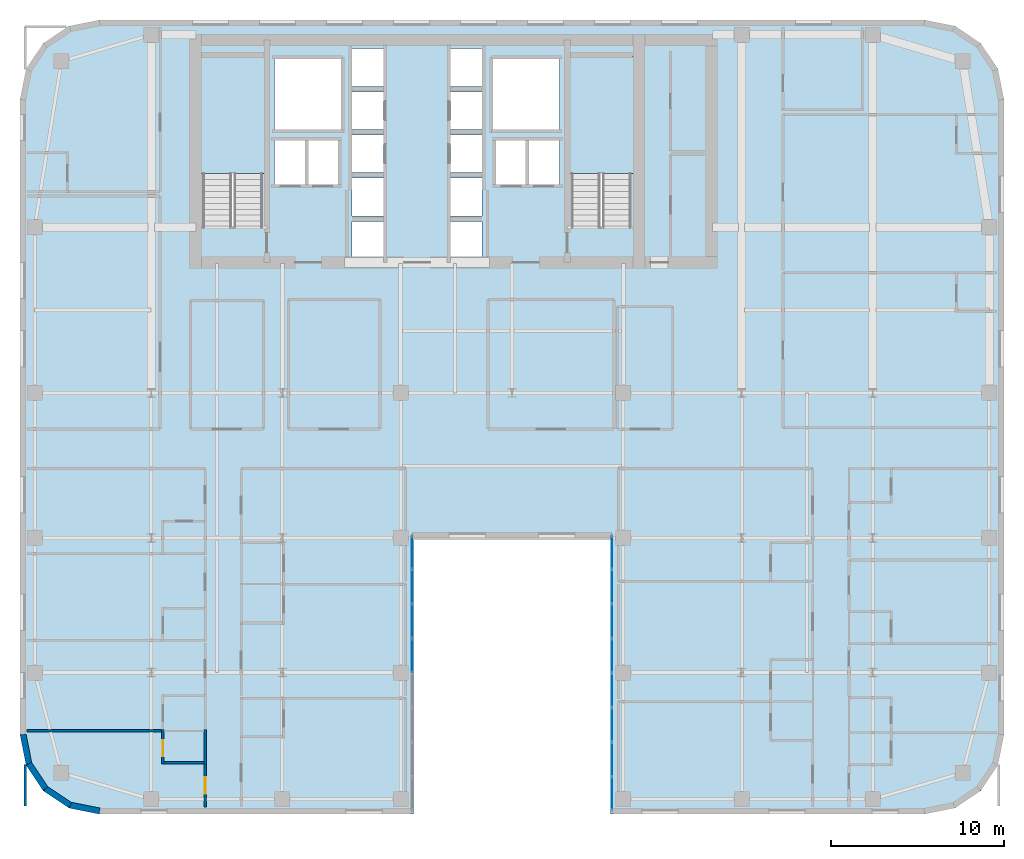
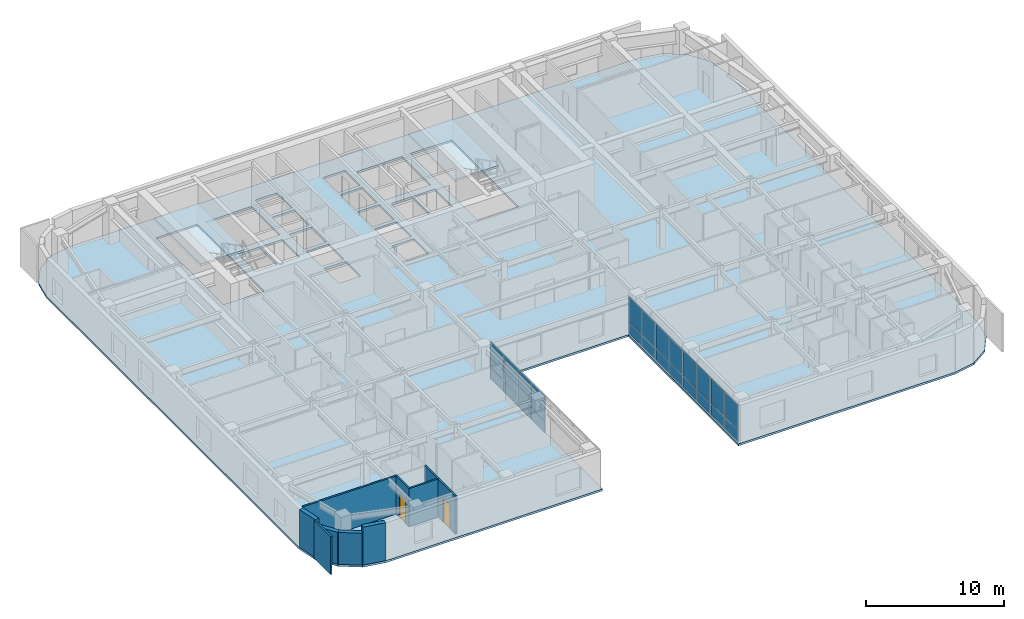
# One storey, part 9 of 17: 24 plates, 10 walls, 3 slabs, 2 doors, 2 openings, 4 elements without a shape of their own.
"""IFC4 building model written with IfcOpenShell, lengths in metres."""

from ifc_helpers import new_model, si_unit, direction, frame, frame_2d, origin, origin_2d, place, context, subcontext, project, spatial, polyline, rectangle, outline, extrude, source, transform, mapped, material, layer, layer_set, type_object, type_shapes, element, fill, aggregate, save


model = new_model("IFC4")

# Units and contexts
model_context = context("Model", 3, precision=1e-05, world=origin(), true_north=direction((0.0, 1.0)))
body_context = subcontext(model_context, "Body", "Model", "MODEL_VIEW")
ifc_project = project(units=[si_unit("LENGTHUNIT", "METRE"), si_unit("AREAUNIT", "SQUARE_METRE"), si_unit("VOLUMEUNIT", "CUBIC_METRE"), si_unit("PLANEANGLEUNIT", "RADIAN"), si_unit("MASSUNIT", "GRAM", prefix="KILO")], contexts=[model_context])

# Site, building, storey
site_placement = place(None, origin())
site = spatial("IfcSite", under=ifc_project, at=site_placement, CompositionType="ELEMENT")
building_placement = place(site_placement, origin())
building = spatial("IfcBuilding", under=site, at=building_placement, Name="Tolvann Quenvar Hotel", CompositionType="ELEMENT")
storey_placement = place(building_placement, frame((0.0, 0.0, 129.300048828125)))
storey = spatial("IfcBuildingStorey", under=building, at=storey_placement, Name="L33", CompositionType="ELEMENT", Elevation=129.300048828125)

# Stair, slab
ifc_material_1 = material(Name="Concrete N40 (40 MPa)", Category="concrete")
stair_type = type_object("IfcStairType", Name="STAIR", PredefinedType="HALF_TURN_STAIR", material=ifc_material_1)
stair_1_placement = place(storey_placement, origin())
stair_1 = element("IfcStair", 1, at=stair_1_placement, inside=storey, type_object=stair_type, Name="L33 ST-C1", PredefinedType="HALF_TURN_STAIR")
ifc_layer_1 = layer(ifc_material_1, 0.199951171875)
ifc_layer_set_1 = layer_set([ifc_layer_1], Name="Concrete N40 (40 MPa)")
slab_type_1 = type_object("IfcSlabType", Name="SLAB_LANDING", PredefinedType="LANDING", material=ifc_layer_set_1)
slab_1_placement = place(storey_placement, frame((0.0, 0.0, 1.574951171875)))
slab_1 = element("IfcSlab", 2, at=slab_1_placement, type_object=slab_type_1, Name="ST-C1 landing 1", PredefinedType="LANDING", context=body_context, shape_type="SweptSolid", body=[
    extrude(outline(polyline([(14.179931640625, 37.10498046875), (14.179931640625, 43.8798828125), (10.469970703125, 43.8798828125), (10.469970703125, 37.10498046875), (14.179931640625, 37.10498046875)])), origin(), (0.0, 0.0, 1.0), 0.199951171875),
])
aggregate(stair_1, [slab_1])

stair_2_placement = place(storey_placement, origin())
stair_2 = element("IfcStair", 3, at=stair_2_placement, inside=storey, type_object=stair_type, Name="L33 ST-C2", PredefinedType="HALF_TURN_STAIR")
slab_2_placement = place(storey_placement, frame((0.0, 0.0, 1.574951171875)))
slab_2 = element("IfcSlab", 4, at=slab_2_placement, type_object=slab_type_1, Name="ST-C2 landing 1", PredefinedType="LANDING", context=body_context, shape_type="SweptSolid", body=[
    extrude(outline(polyline([(35.530029296875, 37.10498046875), (35.530029296875, 43.8798828125), (31.820068359375, 43.8798828125), (31.820068359375, 37.10498046875), (35.530029296875, 37.10498046875)])), origin(), (0.0, 0.0, 1.0), 0.199951171875),
])
aggregate(stair_2, [slab_2])

# Slab
ifc_layer_2 = layer(ifc_material_1, 0.179931640625)
ifc_layer_set_2 = layer_set([ifc_layer_2], Name="Concrete N40 (40 MPa)")
slab_type_2 = type_object("IfcSlabType", Name="SLAB_TWR_180", PredefinedType="FLOOR", material=ifc_layer_set_2)
slab_3_placement = place(storey_placement, frame((0.0, 0.0, -0.179931640625)))
element("IfcSlab", 5, at=slab_3_placement, inside=storey, type_object=slab_type_2, Name="Level L33 Structural Floor Slab", PredefinedType="FLOOR", context=body_context, shape_type="SweptSolid", body=[
    extrude(outline(polyline([(0.0, 4.60009765625), (0.35009765625, 2.839599609375), (1.347412109375, 1.347412109375), (2.839599609375, 0.35009765625), (4.60009765625, 0.0), (22.800048828125, 0.0), (22.800048828125, 16.0), (34.199951171875, 16.0), (34.199951171875, 0.0), (52.39990234375, 0.0), (54.160400390625, 0.35009765625), (55.652587890625, 1.347412109375), (56.64990234375, 2.839599609375), (57.0, 4.60009765625), (57.0, 41.39990234375), (56.64990234375, 43.160400390625), (55.652587890625, 44.652587890625), (54.160400390625, 45.64990234375), (52.39990234375, 46.0), (4.60009765625, 46.0), (2.839599609375, 45.64990234375), (1.347412109375, 44.652587890625), (0.35009765625, 43.160400390625), (0.0, 41.39990234375), (0.0, 4.60009765625)]), holes=[polyline([(31.949951171875, 34.02490234375), (31.949951171875, 43.800048828125), (35.39990234375, 43.800048828125), (35.39990234375, 34.02490234375), (31.949951171875, 34.02490234375)]), polyline([(29.449951171875, 39.02001953125), (31.25, 39.02001953125), (31.25, 36.47998046875), (29.449951171875, 36.47998046875), (29.449951171875, 39.02001953125)]), polyline([(31.25, 43.75), (31.25, 39.64990234375), (27.39990234375, 39.64990234375), (27.39990234375, 43.75), (31.25, 43.75)]), polyline([(27.574951171875, 39.02001953125), (29.324951171875, 39.02001953125), (29.324951171875, 36.47998046875), (27.574951171875, 36.47998046875), (27.574951171875, 39.02001953125)]), polyline([(26.77001953125, 44.340087890625), (26.77001953125, 42.159912109375), (24.929931640625, 42.159912109375), (24.929931640625, 44.340087890625), (26.77001953125, 44.340087890625)]), polyline([(24.929931640625, 41.840087890625), (26.77001953125, 41.840087890625), (26.77001953125, 39.659912109375), (24.929931640625, 39.659912109375), (24.929931640625, 41.840087890625)]), polyline([(24.929931640625, 39.340087890625), (26.77001953125, 39.340087890625), (26.77001953125, 37.159912109375), (24.929931640625, 37.159912109375), (24.929931640625, 39.340087890625)]), polyline([(24.929931640625, 36.840087890625), (26.77001953125, 36.840087890625), (26.77001953125, 34.659912109375), (24.929931640625, 34.659912109375), (24.929931640625, 36.840087890625)]), polyline([(24.929931640625, 34.340087890625), (26.77001953125, 34.340087890625), (26.77001953125, 32.159912109375), (24.929931640625, 32.159912109375), (24.929931640625, 34.340087890625)]), polyline([(21.070068359375, 44.340087890625), (21.070068359375, 42.159912109375), (19.22998046875, 42.159912109375), (19.22998046875, 44.340087890625), (21.070068359375, 44.340087890625)]), polyline([(19.22998046875, 41.840087890625), (21.070068359375, 41.840087890625), (21.070068359375, 39.659912109375), (19.22998046875, 39.659912109375), (19.22998046875, 41.840087890625)]), polyline([(19.22998046875, 39.340087890625), (21.070068359375, 39.340087890625), (21.070068359375, 37.159912109375), (19.22998046875, 37.159912109375), (19.22998046875, 39.340087890625)]), polyline([(19.22998046875, 36.840087890625), (21.070068359375, 36.840087890625), (21.070068359375, 34.659912109375), (19.22998046875, 34.659912109375), (19.22998046875, 36.840087890625)]), polyline([(19.22998046875, 34.340087890625), (21.070068359375, 34.340087890625), (21.070068359375, 32.159912109375), (19.22998046875, 32.159912109375), (19.22998046875, 34.340087890625)]), polyline([(18.60009765625, 43.75), (18.60009765625, 39.64990234375), (14.75, 39.64990234375), (14.75, 43.75), (18.60009765625, 43.75)]), polyline([(16.675048828125, 39.02001953125), (18.425048828125, 39.02001953125), (18.425048828125, 36.47998046875), (16.675048828125, 36.47998046875), (16.675048828125, 39.02001953125)]), polyline([(14.75, 39.02001953125), (16.550048828125, 39.02001953125), (16.550048828125, 36.47998046875), (14.75, 36.47998046875), (14.75, 39.02001953125)]), polyline([(10.60009765625, 34.02490234375), (10.60009765625, 43.800048828125), (14.050048828125, 43.800048828125), (14.050048828125, 34.02490234375), (10.60009765625, 34.02490234375)])]), origin(), (0.0, 0.0, 1.0), 0.179931640625),
])

# Curtain wall, plate
ifc_material_2 = material(Name="Thermally broken anodised architectural aluminium 6063-T6 and laminated low-E glass", Category="aluminium")
ifc_layer_3 = layer(ifc_material_2, 0.179931640625)
ifc_layer_set_3 = layer_set([ifc_layer_3], Name="Thermally broken anodised architectural aluminium 6063-T6 and laminated low-E glass")
curtain_wall_type = type_object("IfcCurtainWallType", Name="CW_SYS_SLOT_03", PredefinedType="USERDEFINED", material=ifc_layer_set_3)
curtain_wall_1_placement = place(storey_placement, origin())
curtain_wall_1 = element("IfcCurtainWall", 6, at=curtain_wall_1_placement, inside=storey, type_object=curtain_wall_type, Name="Curtain Wall CW-SLOT-03 (CWR-L33-E05)", ObjectType="UNITISED CURTAIN WALL", PredefinedType="USERDEFINED")
ifc_material_3 = material(Name="Low-iron laminated double glazing with solar-control coating", Category="glass")
ifc_layer_4 = layer(ifc_material_3, 0.028076171875)
ifc_layer_set_4 = layer_set([ifc_layer_4], Name="Low-iron laminated double glazing with solar-control coating")
plate_type = type_object("IfcPlateType", Name="CW_PAN_VISION_28", PredefinedType="CURTAIN_PANEL", material=ifc_layer_set_4)
shared_shape_1 = source(origin(), body_context, "Body", "SweptSolid", [
    extrude(rectangle(XDim=1.89501953125, YDim=0.028076171875, at=origin_2d()), origin(), (0.0, 0.0, 1.0), 0.9599609375),
])
plate_1_placement = place(storey_placement, frame((22.7099609375, 15.157470703125, 0.06005859375), z_axis=(0.0, 0.0, 1.0), x_axis=(0.0, 1.0, 0.0)))
plate_1 = element("IfcPlate", 7, at=plate_1_placement, type_object=plate_type, Name="CW-SLOT-03 panel 8.1", PredefinedType="CURTAIN_PANEL", context=body_context, shape_type="MappedRepresentation", body=[
    mapped(shared_shape_1, transform((0.0, 0.0, 0.0), x_axis=(1.0, 0.0, 0.0), y_axis=(0.0, 1.0, 0.0), z_axis=(0.0, 0.0, 1.0), scale=1.0)),
])

# Curtain wall, plates
curtain_wall_2_placement = place(storey_placement, origin())
curtain_wall_2 = element("IfcCurtainWall", 8, at=curtain_wall_2_placement, inside=storey, type_object=curtain_wall_type, Name="Curtain Wall CW-SLOT-03 (CWR-L33-E07)", ObjectType="UNITISED CURTAIN WALL", PredefinedType="USERDEFINED")
plate_2_placement = place(storey_placement, frame((34.2900390625, 15.157470703125, 0.06005859375), z_axis=(0.0, 0.0, 1.0), x_axis=(0.0, -1.0, 0.0)))
plate_2 = element("IfcPlate", 9, at=plate_2_placement, type_object=plate_type, Name="CW-SLOT-03 panel 1.1", PredefinedType="CURTAIN_PANEL", context=body_context, shape_type="MappedRepresentation", body=[
    mapped(shared_shape_1, transform((0.0, 0.0, 0.0), x_axis=(1.0, 0.0, 0.0), y_axis=(0.0, 1.0, 0.0), z_axis=(0.0, 0.0, 1.0), scale=1.0)),
])
plate_3_placement = place(storey_placement, frame((34.2900390625, 1.1923828125, 0.06005859375), z_axis=(0.0, 0.0, 1.0), x_axis=(0.0, -1.0, 0.0)))
plate_3 = element("IfcPlate", 10, at=plate_3_placement, type_object=plate_type, Name="CW-SLOT-03 panel 8.1", PredefinedType="CURTAIN_PANEL", context=body_context, shape_type="MappedRepresentation", body=[
    mapped(shared_shape_1, transform((0.0, 0.0, 0.0), x_axis=(1.0, 0.0, 0.0), y_axis=(0.0, 1.0, 0.0), z_axis=(0.0, 0.0, 1.0), scale=1.0)),
])

# Plate
shared_shape_2 = source(origin(), body_context, "Body", "SweptSolid", [
    extrude(rectangle(XDim=1.89501953125, YDim=0.028076171875, at=origin_2d()), origin(), (0.0, 0.0, 1.0), 2.22998046875),
])
plate_4_placement = place(storey_placement, frame((22.7099609375, 15.157470703125, 1.080078125), z_axis=(0.0, 0.0, 1.0), x_axis=(0.0, 1.0, 0.0)))
plate_4 = element("IfcPlate", 11, at=plate_4_placement, type_object=plate_type, Name="CW-SLOT-03 panel 8.2", PredefinedType="CURTAIN_PANEL", context=body_context, shape_type="MappedRepresentation", body=[
    mapped(shared_shape_2, transform((0.0, 0.0, 0.0), x_axis=(1.0, 0.0, 0.0), y_axis=(0.0, 1.0, 0.0), z_axis=(0.0, 0.0, 1.0), scale=1.0)),
])

plate_5_placement = place(storey_placement, frame((34.2900390625, 15.157470703125, 1.080078125), z_axis=(0.0, 0.0, 1.0), x_axis=(0.0, -1.0, 0.0)))
plate_5 = element("IfcPlate", 12, at=plate_5_placement, type_object=plate_type, Name="CW-SLOT-03 panel 1.2", PredefinedType="CURTAIN_PANEL", context=body_context, shape_type="MappedRepresentation", body=[
    mapped(shared_shape_2, transform((0.0, 0.0, 0.0), x_axis=(1.0, 0.0, 0.0), y_axis=(0.0, 1.0, 0.0), z_axis=(0.0, 0.0, 1.0), scale=1.0)),
])

plate_6_placement = place(storey_placement, frame((34.2900390625, 1.1923828125, 1.080078125), z_axis=(0.0, 0.0, 1.0), x_axis=(0.0, -1.0, 0.0)))
plate_6 = element("IfcPlate", 13, at=plate_6_placement, type_object=plate_type, Name="CW-SLOT-03 panel 8.2", PredefinedType="CURTAIN_PANEL", context=body_context, shape_type="MappedRepresentation", body=[
    mapped(shared_shape_2, transform((0.0, 0.0, 0.0), x_axis=(1.0, 0.0, 0.0), y_axis=(0.0, 1.0, 0.0), z_axis=(0.0, 0.0, 1.0), scale=1.0)),
])

shared_shape_3 = source(origin(), body_context, "Body", "SweptSolid", [
    extrude(rectangle(XDim=1.929931640625, YDim=0.028076171875, at=origin_2d()), origin(), (0.0, 0.0, 1.0), 0.9599609375),
])
plate_7_placement = place(storey_placement, frame((22.7099609375, 9.175048828125, 0.06005859375), z_axis=(0.0, 0.0, 1.0), x_axis=(0.0, 1.0, 0.0)))
plate_7 = element("IfcPlate", 14, at=plate_7_placement, type_object=plate_type, Name="CW-SLOT-03 panel 5.1", PredefinedType="CURTAIN_PANEL", context=body_context, shape_type="MappedRepresentation", body=[
    mapped(shared_shape_3, transform((0.0, 0.0, 0.0), x_axis=(1.0, 0.0, 0.0), y_axis=(0.0, 1.0, 0.0), z_axis=(0.0, 0.0, 1.0), scale=1.0)),
])

plate_8_placement = place(storey_placement, frame((22.7099609375, 11.175048828125, 0.06005859375), z_axis=(0.0, 0.0, 1.0), x_axis=(0.0, 1.0, 0.0)))
plate_8 = element("IfcPlate", 15, at=plate_8_placement, type_object=plate_type, Name="CW-SLOT-03 panel 6.1", PredefinedType="CURTAIN_PANEL", context=body_context, shape_type="MappedRepresentation", body=[
    mapped(shared_shape_3, transform((0.0, 0.0, 0.0), x_axis=(1.0, 0.0, 0.0), y_axis=(0.0, 1.0, 0.0), z_axis=(0.0, 0.0, 1.0), scale=1.0)),
])

plate_9_placement = place(storey_placement, frame((22.7099609375, 13.175048828125, 0.06005859375), z_axis=(0.0, 0.0, 1.0), x_axis=(0.0, 1.0, 0.0)))
plate_9 = element("IfcPlate", 16, at=plate_9_placement, type_object=plate_type, Name="CW-SLOT-03 panel 7.1", PredefinedType="CURTAIN_PANEL", context=body_context, shape_type="MappedRepresentation", body=[
    mapped(shared_shape_3, transform((0.0, 0.0, 0.0), x_axis=(1.0, 0.0, 0.0), y_axis=(0.0, 1.0, 0.0), z_axis=(0.0, 0.0, 1.0), scale=1.0)),
])

plate_10_placement = place(storey_placement, frame((34.2900390625, 13.175048828125, 0.06005859375), z_axis=(0.0, 0.0, 1.0), x_axis=(0.0, -1.0, 0.0)))
plate_10 = element("IfcPlate", 17, at=plate_10_placement, type_object=plate_type, Name="CW-SLOT-03 panel 2.1", PredefinedType="CURTAIN_PANEL", context=body_context, shape_type="MappedRepresentation", body=[
    mapped(shared_shape_3, transform((0.0, 0.0, 0.0), x_axis=(1.0, 0.0, 0.0), y_axis=(0.0, 1.0, 0.0), z_axis=(0.0, 0.0, 1.0), scale=1.0)),
])

plate_11_placement = place(storey_placement, frame((34.2900390625, 11.175048828125, 0.06005859375), z_axis=(0.0, 0.0, 1.0), x_axis=(0.0, -1.0, 0.0)))
plate_11 = element("IfcPlate", 18, at=plate_11_placement, type_object=plate_type, Name="CW-SLOT-03 panel 3.1", PredefinedType="CURTAIN_PANEL", context=body_context, shape_type="MappedRepresentation", body=[
    mapped(shared_shape_3, transform((0.0, 0.0, 0.0), x_axis=(1.0, 0.0, 0.0), y_axis=(0.0, 1.0, 0.0), z_axis=(0.0, 0.0, 1.0), scale=1.0)),
])

plate_12_placement = place(storey_placement, frame((34.2900390625, 9.175048828125, 0.06005859375), z_axis=(0.0, 0.0, 1.0), x_axis=(0.0, -1.0, 0.0)))
plate_12 = element("IfcPlate", 19, at=plate_12_placement, type_object=plate_type, Name="CW-SLOT-03 panel 4.1", PredefinedType="CURTAIN_PANEL", context=body_context, shape_type="MappedRepresentation", body=[
    mapped(shared_shape_3, transform((0.0, 0.0, 0.0), x_axis=(1.0, 0.0, 0.0), y_axis=(0.0, 1.0, 0.0), z_axis=(0.0, 0.0, 1.0), scale=1.0)),
])

plate_13_placement = place(storey_placement, frame((34.2900390625, 7.175048828125, 0.06005859375), z_axis=(0.0, 0.0, 1.0), x_axis=(0.0, -1.0, 0.0)))
plate_13 = element("IfcPlate", 20, at=plate_13_placement, type_object=plate_type, Name="CW-SLOT-03 panel 5.1", PredefinedType="CURTAIN_PANEL", context=body_context, shape_type="MappedRepresentation", body=[
    mapped(shared_shape_3, transform((0.0, 0.0, 0.0), x_axis=(1.0, 0.0, 0.0), y_axis=(0.0, 1.0, 0.0), z_axis=(0.0, 0.0, 1.0), scale=1.0)),
])

plate_14_placement = place(storey_placement, frame((34.2900390625, 5.175048828125, 0.06005859375), z_axis=(0.0, 0.0, 1.0), x_axis=(0.0, -1.0, 0.0)))
plate_14 = element("IfcPlate", 21, at=plate_14_placement, type_object=plate_type, Name="CW-SLOT-03 panel 6.1", PredefinedType="CURTAIN_PANEL", context=body_context, shape_type="MappedRepresentation", body=[
    mapped(shared_shape_3, transform((0.0, 0.0, 0.0), x_axis=(1.0, 0.0, 0.0), y_axis=(0.0, 1.0, 0.0), z_axis=(0.0, 0.0, 1.0), scale=1.0)),
])

plate_15_placement = place(storey_placement, frame((34.2900390625, 3.175048828125, 0.06005859375), z_axis=(0.0, 0.0, 1.0), x_axis=(0.0, -1.0, 0.0)))
plate_15 = element("IfcPlate", 22, at=plate_15_placement, type_object=plate_type, Name="CW-SLOT-03 panel 7.1", PredefinedType="CURTAIN_PANEL", context=body_context, shape_type="MappedRepresentation", body=[
    mapped(shared_shape_3, transform((0.0, 0.0, 0.0), x_axis=(1.0, 0.0, 0.0), y_axis=(0.0, 1.0, 0.0), z_axis=(0.0, 0.0, 1.0), scale=1.0)),
])

shared_shape_4 = source(origin(), body_context, "Body", "SweptSolid", [
    extrude(rectangle(XDim=1.929931640625, YDim=0.028076171875, at=origin_2d()), origin(), (0.0, 0.0, 1.0), 2.22998046875),
])
type_shapes(plate_type, [shared_shape_1, shared_shape_2, shared_shape_3, shared_shape_4])
plate_16_placement = place(storey_placement, frame((22.7099609375, 9.175048828125, 1.080078125), z_axis=(0.0, 0.0, 1.0), x_axis=(0.0, 1.0, 0.0)))
plate_16 = element("IfcPlate", 23, at=plate_16_placement, type_object=plate_type, Name="CW-SLOT-03 panel 5.2", PredefinedType="CURTAIN_PANEL", context=body_context, shape_type="MappedRepresentation", body=[
    mapped(shared_shape_4, transform((0.0, 0.0, 0.0), x_axis=(1.0, 0.0, 0.0), y_axis=(0.0, 1.0, 0.0), z_axis=(0.0, 0.0, 1.0), scale=1.0)),
])

plate_17_placement = place(storey_placement, frame((22.7099609375, 11.175048828125, 1.080078125), z_axis=(0.0, 0.0, 1.0), x_axis=(0.0, 1.0, 0.0)))
plate_17 = element("IfcPlate", 24, at=plate_17_placement, type_object=plate_type, Name="CW-SLOT-03 panel 6.2", PredefinedType="CURTAIN_PANEL", context=body_context, shape_type="MappedRepresentation", body=[
    mapped(shared_shape_4, transform((0.0, 0.0, 0.0), x_axis=(1.0, 0.0, 0.0), y_axis=(0.0, 1.0, 0.0), z_axis=(0.0, 0.0, 1.0), scale=1.0)),
])

plate_18_placement = place(storey_placement, frame((22.7099609375, 13.175048828125, 1.080078125), z_axis=(0.0, 0.0, 1.0), x_axis=(0.0, 1.0, 0.0)))
plate_18 = element("IfcPlate", 25, at=plate_18_placement, type_object=plate_type, Name="CW-SLOT-03 panel 7.2", PredefinedType="CURTAIN_PANEL", context=body_context, shape_type="MappedRepresentation", body=[
    mapped(shared_shape_4, transform((0.0, 0.0, 0.0), x_axis=(1.0, 0.0, 0.0), y_axis=(0.0, 1.0, 0.0), z_axis=(0.0, 0.0, 1.0), scale=1.0)),
])

aggregate(curtain_wall_1, [plate_7, plate_16, plate_8, plate_17, plate_9, plate_18, plate_1, plate_4])

plate_19_placement = place(storey_placement, frame((34.2900390625, 13.175048828125, 1.080078125), z_axis=(0.0, 0.0, 1.0), x_axis=(0.0, -1.0, 0.0)))
plate_19 = element("IfcPlate", 26, at=plate_19_placement, type_object=plate_type, Name="CW-SLOT-03 panel 2.2", PredefinedType="CURTAIN_PANEL", context=body_context, shape_type="MappedRepresentation", body=[
    mapped(shared_shape_4, transform((0.0, 0.0, 0.0), x_axis=(1.0, 0.0, 0.0), y_axis=(0.0, 1.0, 0.0), z_axis=(0.0, 0.0, 1.0), scale=1.0)),
])

plate_20_placement = place(storey_placement, frame((34.2900390625, 11.175048828125, 1.080078125), z_axis=(0.0, 0.0, 1.0), x_axis=(0.0, -1.0, 0.0)))
plate_20 = element("IfcPlate", 27, at=plate_20_placement, type_object=plate_type, Name="CW-SLOT-03 panel 3.2", PredefinedType="CURTAIN_PANEL", context=body_context, shape_type="MappedRepresentation", body=[
    mapped(shared_shape_4, transform((0.0, 0.0, 0.0), x_axis=(1.0, 0.0, 0.0), y_axis=(0.0, 1.0, 0.0), z_axis=(0.0, 0.0, 1.0), scale=1.0)),
])

plate_21_placement = place(storey_placement, frame((34.2900390625, 9.175048828125, 1.080078125), z_axis=(0.0, 0.0, 1.0), x_axis=(0.0, -1.0, 0.0)))
plate_21 = element("IfcPlate", 28, at=plate_21_placement, type_object=plate_type, Name="CW-SLOT-03 panel 4.2", PredefinedType="CURTAIN_PANEL", context=body_context, shape_type="MappedRepresentation", body=[
    mapped(shared_shape_4, transform((0.0, 0.0, 0.0), x_axis=(1.0, 0.0, 0.0), y_axis=(0.0, 1.0, 0.0), z_axis=(0.0, 0.0, 1.0), scale=1.0)),
])

plate_22_placement = place(storey_placement, frame((34.2900390625, 7.175048828125, 1.080078125), z_axis=(0.0, 0.0, 1.0), x_axis=(0.0, -1.0, 0.0)))
plate_22 = element("IfcPlate", 29, at=plate_22_placement, type_object=plate_type, Name="CW-SLOT-03 panel 5.2", PredefinedType="CURTAIN_PANEL", context=body_context, shape_type="MappedRepresentation", body=[
    mapped(shared_shape_4, transform((0.0, 0.0, 0.0), x_axis=(1.0, 0.0, 0.0), y_axis=(0.0, 1.0, 0.0), z_axis=(0.0, 0.0, 1.0), scale=1.0)),
])

plate_23_placement = place(storey_placement, frame((34.2900390625, 5.175048828125, 1.080078125), z_axis=(0.0, 0.0, 1.0), x_axis=(0.0, -1.0, 0.0)))
plate_23 = element("IfcPlate", 30, at=plate_23_placement, type_object=plate_type, Name="CW-SLOT-03 panel 6.2", PredefinedType="CURTAIN_PANEL", context=body_context, shape_type="MappedRepresentation", body=[
    mapped(shared_shape_4, transform((0.0, 0.0, 0.0), x_axis=(1.0, 0.0, 0.0), y_axis=(0.0, 1.0, 0.0), z_axis=(0.0, 0.0, 1.0), scale=1.0)),
])

plate_24_placement = place(storey_placement, frame((34.2900390625, 3.175048828125, 1.080078125), z_axis=(0.0, 0.0, 1.0), x_axis=(0.0, -1.0, 0.0)))
plate_24 = element("IfcPlate", 31, at=plate_24_placement, type_object=plate_type, Name="CW-SLOT-03 panel 7.2", PredefinedType="CURTAIN_PANEL", context=body_context, shape_type="MappedRepresentation", body=[
    mapped(shared_shape_4, transform((0.0, 0.0, 0.0), x_axis=(1.0, 0.0, 0.0), y_axis=(0.0, 1.0, 0.0), z_axis=(0.0, 0.0, 1.0), scale=1.0)),
])

aggregate(curtain_wall_2, [plate_2, plate_5, plate_10, plate_19, plate_11, plate_20, plate_12, plate_21, plate_13, plate_22, plate_14, plate_23, plate_15, plate_24, plate_3, plate_6])

# Walls
ifc_material_4 = material(Name="Kiln-fired red and buff architectural clay brickwork and terracotta masonry", Category="masonry")
ifc_layer_5 = layer(ifc_material_4, 0.35009765625)
ifc_layer_set_5 = layer_set([ifc_layer_5], Name="Kiln-fired red and buff architectural clay brickwork and terracotta masonry")
wall_type_1 = type_object("IfcWallType", Name="WALL_EXT_BRICK_350", PredefinedType="SOLIDWALL", material=ifc_layer_set_5)
for number, where, z_axis, x_axis, name in (
    (32, (0.514892578125, 2.907958984375, 0.0), (0.0, 0.0, 1.0), (0.55554893791, -0.831483840845, 0.0), "Exterior Chicago Brick Wall L33-E01"),
    (33, (1.473388671875, 1.473388671875, 0.0), (0.0, 0.0, 1.0), (0.831483840845, -0.55554893791, 0.0), "Exterior Chicago Brick Wall L33-E02"),
):
    element("IfcWall", number, at=place(storey_placement, frame(where, z_axis=z_axis, x_axis=x_axis)), inside=storey, type_object=wall_type_1, Name=name, PredefinedType="SOLIDWALL", context=body_context, shape_type="SweptSolid", body=[
        extrude(rectangle(XDim=1.725341796875, YDim=0.35009765625, at=frame_2d((0.86279296875, 0.0))), origin(), (0.0, 0.0, 1.0), 2.83203125),
    ])
for number, where, z_axis, x_axis, name in (
    (34, (2.907958984375, 0.514892578125, 0.0), (0.0, 0.0, 1.0), (0.980800971659, -0.195011420161, 0.0), "Exterior Chicago Brick Wall L33-E03"),
    (35, (0.175048828125, 4.6171875, 0.0), (0.0, 0.0, 1.0), (0.195011420161, -0.980800971659, 0.0), "Exterior Chicago Brick Wall L33-E24"),
):
    element("IfcWall", number, at=place(storey_placement, frame(where, z_axis=z_axis, x_axis=x_axis)), inside=storey, type_object=wall_type_1, Name=name, PredefinedType="SOLIDWALL", context=body_context, shape_type="SweptSolid", body=[
        extrude(rectangle(XDim=1.74267578125, YDim=0.35009765625, at=frame_2d((0.871337890625, 0.0))), origin(), (0.0, 0.0, 1.0), 3.369873046875),
    ])
ifc_material_5 = material(Name="Moisture-resistant acoustic plumbing wall assembly")
ifc_layer_6 = layer(ifc_material_5, 0.1201171875)
ifc_layer_set_6 = layer_set([ifc_layer_6], Name="Moisture-resistant acoustic plumbing wall assembly")
wall_type_2 = type_object("IfcWallType", Name="WALL_PART_BATH_120", PredefinedType="PLUMBINGWALL", material=ifc_layer_set_6)
wall_1_placement = place(storey_placement, frame((10.72998046875, 2.89990234375, 0.0), z_axis=(0.0, 0.0, 1.0), x_axis=(0.0, 1.0, 0.0)))
element("IfcWall", 36, at=wall_1_placement, inside=storey, type_object=wall_type_2, Name="Non-Rated Plumbing Partition PT-SPC-L33-ENS-WO01-E", PredefinedType="PLUMBINGWALL", context=body_context, shape_type="SweptSolid", body=[
    extrude(rectangle(XDim=1.989990234375, YDim=0.1201171875, at=frame_2d((0.9951171875, 0.0))), origin(), (0.0, 0.0, 1.0), 3.369873046875),
])

# Wall, opening, door
ifc_material_6 = material(Name="Acoustic twin-stud fire-rated gypsum plasterboard partition")
ifc_layer_7 = layer(ifc_material_6, 0.14990234375)
ifc_layer_set_7 = layer_set([ifc_layer_7], Name="Acoustic twin-stud fire-rated gypsum plasterboard partition")
wall_type_3 = type_object("IfcWallType", Name="WALL_PART_SUITE_150", PredefinedType="PARTITIONING", material=ifc_layer_set_7)
wall_2_placement = place(storey_placement, frame((8.280029296875, 2.89990234375, 0.0), z_axis=(0.0, 0.0, 1.0), x_axis=(0.0, 1.0, 0.0)))
wall_2 = element("IfcWall", 37, at=wall_2_placement, inside=storey, type_object=wall_type_3, Name="Interior Partition PT-SPC-L33-ENS-WO01-ENT", PredefinedType="PARTITIONING", context=body_context, shape_type="SweptSolid", body=[
    extrude(rectangle(XDim=1.989990234375, YDim=0.14990234375, at=frame_2d((0.9951171875, 0.0))), origin(), (0.0, 0.0, 1.0), 3.369873046875),
])
opening_1_placement = place(wall_2_placement, frame((0.465087890625, 0.0, 0.0)))
opening_1 = element("IfcOpeningElement", 38, at=opening_1_placement, cuts=wall_2, Name="Opening WD-01", PredefinedType="OPENING", context=body_context, shape_type="SweptSolid", body=[
    extrude(rectangle(XDim=0.919921875, YDim=2.010009765625, at=frame_2d((0.4599609375, 1.0048828125))), frame((0.0, 0.0849609375, 0.0), z_axis=(0.0, -1.0, 0.0), x_axis=(1.0, 0.0, 0.0)), (0.0, 0.0, 1.0), 0.169921875),
])
ifc_material_7 = material(Name="Solid-core American oak acoustic fire door leaf in steel frame", Category="steel")
door_type_1 = type_object("IfcDoorType", Name="DOOR_WC_920", OperationType="NOTDEFINED", PredefinedType="DOOR", material=ifc_material_7)
shared_shape_5 = source(origin(), body_context, "Body", "SweptSolid", [
    extrude(rectangle(XDim=0.919921875, YDim=2.010009765625, at=frame_2d((0.4599609375, 1.0048828125))), frame((0.0, 0.02490234375, 0.0), z_axis=(0.0, -1.0, 0.0), x_axis=(1.0, 0.0, 0.0)), (0.0, 0.0, 1.0), 0.050048828125),
])
type_shapes(door_type_1, [shared_shape_5])
door_1_placement = place(opening_1_placement, origin())
door_1 = element("IfcDoor", 39, at=door_1_placement, inside=storey, type_object=door_type_1, Name="Interior Door DOOR-SPC-L33-ENS-WO01", OperationType="SINGLE_SWING_RIGHT", OverallHeight=2.010009765625, OverallWidth=0.919921875, PredefinedType="DOOR", context=body_context, shape_type="MappedRepresentation", body=[
    mapped(shared_shape_5, transform((0.0, 0.0, 0.0), x_axis=(1.0, 0.0, 0.0), y_axis=(0.0, 1.0, 0.0), z_axis=(0.0, 0.0, 1.0), scale=1.0)),
])
fill(opening_1, door_1)

# Wall
wall_3_placement = place(storey_placement, frame((8.2099609375, 2.969970703125, 0.0), z_axis=(0.0, 0.0, 1.0), x_axis=(1.0, 0.0, 0.0)))
element("IfcWall", 40, at=wall_3_placement, inside=storey, type_object=wall_type_3, Name="Interior Partition PT-SPC-L33-ENS-WO01-S", PredefinedType="PARTITIONING", context=body_context, shape_type="SweptSolid", body=[
    extrude(rectangle(XDim=2.590087890625, YDim=0.14990234375, at=frame_2d((1.294921875, 0.0))), origin(), (0.0, 0.0, 1.0), 3.369873046875),
])

# Wall, opening, door
wall_4_placement = place(storey_placement, frame((10.72998046875, 0.405029296875, 0.0), z_axis=(0.0, 0.0, 1.0), x_axis=(0.0, 1.0, 0.0)))
wall_4 = element("IfcWall", 41, at=wall_4_placement, inside=storey, type_object=wall_type_3, Name="Interior Partition PT-SPC-L33-RM-WO01-ENT", PredefinedType="PARTITIONING", context=body_context, shape_type="SweptSolid", body=[
    extrude(rectangle(XDim=2.48486328125, YDim=0.14990234375, at=frame_2d((1.242431640625, 0.0))), origin(), (0.0, 0.0, 1.0), 3.369873046875),
])
opening_2_placement = place(wall_4_placement, frame((0.760009765625, 0.0, 0.0)))
opening_2 = element("IfcOpeningElement", 42, at=opening_2_placement, cuts=wall_4, Name="Opening SD-01", PredefinedType="OPENING", context=body_context, shape_type="SweptSolid", body=[
    extrude(rectangle(XDim=0.97998046875, YDim=2.1201171875, at=frame_2d((0.489990234375, 1.06005859375))), frame((0.0, 0.0849609375, 0.0), z_axis=(0.0, -1.0, 0.0), x_axis=(1.0, 0.0, 0.0)), (0.0, 0.0, 1.0), 0.169921875),
])
door_type_2 = type_object("IfcDoorType", Name="DOOR_SUITE_980", OperationType="NOTDEFINED", PredefinedType="DOOR", material=ifc_material_7)
shared_shape_6 = source(origin(), body_context, "Body", "SweptSolid", [
    extrude(rectangle(XDim=0.97998046875, YDim=2.1201171875, at=frame_2d((0.489990234375, 1.06005859375))), frame((0.0, 0.02490234375, 0.0), z_axis=(0.0, -1.0, 0.0), x_axis=(1.0, 0.0, 0.0)), (0.0, 0.0, 1.0), 0.050048828125),
])
type_shapes(door_type_2, [shared_shape_6])
door_2_placement = place(opening_2_placement, origin())
door_2 = element("IfcDoor", 43, at=door_2_placement, inside=storey, type_object=door_type_2, Name="Interior Door DOOR-SPC-L33-RM-WO01", OperationType="SINGLE_SWING_LEFT", OverallHeight=2.1201171875, OverallWidth=0.97998046875, PredefinedType="DOOR", context=body_context, shape_type="MappedRepresentation", body=[
    mapped(shared_shape_6, transform((0.0, 0.0, 0.0), x_axis=(1.0, 0.0, 0.0), y_axis=(0.0, 1.0, 0.0), z_axis=(0.0, 0.0, 1.0), scale=1.0)),
])
fill(opening_2, door_2)

# Walls
wall_5_placement = place(storey_placement, frame((0.405029296875, 4.820068359375, 0.0), z_axis=(0.0, 0.0, 1.0), x_axis=(1.0, 0.0, 0.0)))
element("IfcWall", 44, at=wall_5_placement, inside=storey, type_object=wall_type_3, Name="Interior Partition PT-SPC-L33-RM-WO01-E5", PredefinedType="PARTITIONING", context=body_context, shape_type="SweptSolid", body=[
    extrude(rectangle(XDim=7.85498046875, YDim=0.14990234375, at=frame_2d((3.927490234375, 0.0))), origin(), (0.0, 0.0, 1.0), 3.369873046875),
])
wall_6_placement = place(storey_placement, frame((0.300048828125, 0.47998046875, 0.0), z_axis=(0.0, 0.0, 1.0), x_axis=(0.0, 1.0, 0.0)))
element("IfcWall", 45, at=wall_6_placement, inside=storey, type_object=wall_type_3, Name="Interior Partition PT-SPC-L33-RM-WO01-E6", PredefinedType="PARTITIONING", context=body_context, shape_type="SweptSolid", body=[
    extrude(rectangle(XDim=2.385009765625, YDim=0.14990234375, at=frame_2d((1.1923828125, 0.0))), origin(), (0.0, 0.0, 1.0), 3.369873046875),
])

save(model, "model.ifc")
